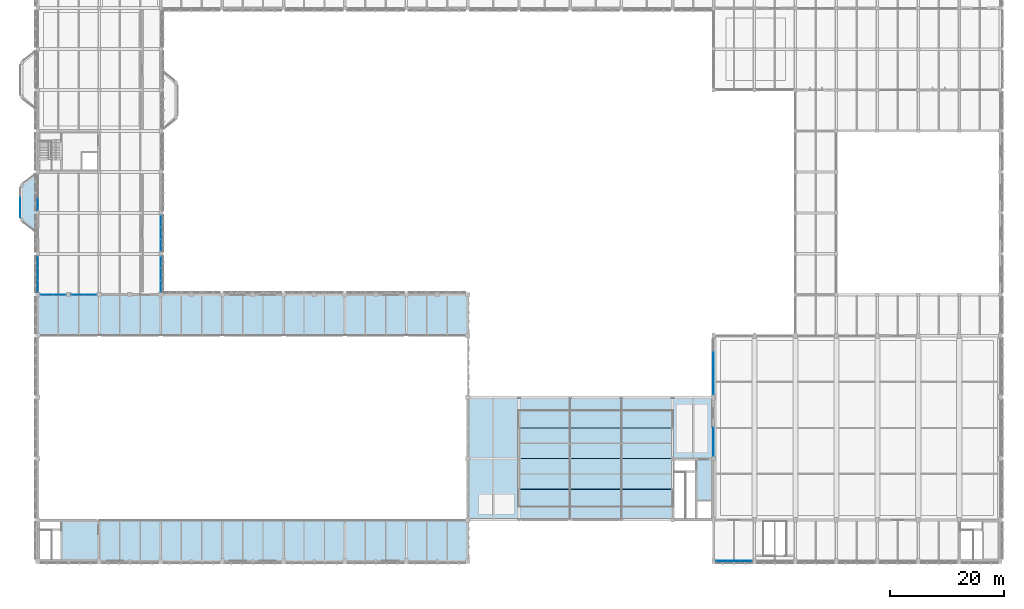
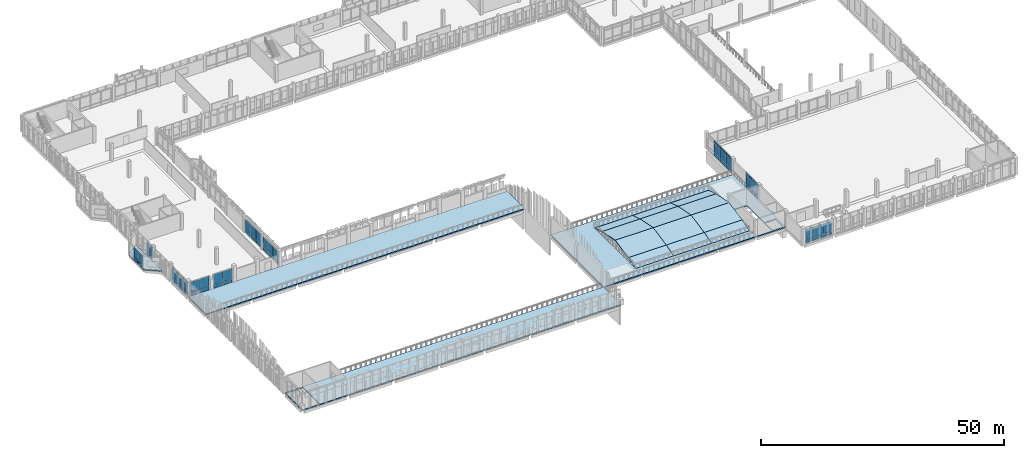
# One storey, part 121 of 158: 53 plates, 16 slabs, 10 elements without a shape of their own.
"""IFC4 building model written with IfcOpenShell, lengths in metres."""

from ifc_helpers import new_model, si_unit, direction, frame, origin, origin_2d, place, context, subcontext, project, spatial, polyline, rectangle, outline, extrude, material, layer, layer_set, type_object, element, aggregate, save


model = new_model("IFC4")

# Units and contexts
model_context = context("Model", 3, precision=1e-05, world=origin(), true_north=direction((0.0, 1.0)))
body_context = subcontext(model_context, "Body", "Model", "MODEL_VIEW")
ifc_project = project(units=[si_unit("LENGTHUNIT", "METRE"), si_unit("AREAUNIT", "SQUARE_METRE"), si_unit("VOLUMEUNIT", "CUBIC_METRE"), si_unit("PLANEANGLEUNIT", "RADIAN"), si_unit("MASSUNIT", "GRAM", prefix="KILO")], contexts=[model_context])

# Site, building, storey
site_placement = place(None, origin())
site = spatial("IfcSite", under=ifc_project, at=site_placement, CompositionType="ELEMENT")
building_placement = place(site_placement, origin())
building = spatial("IfcBuilding", under=site, at=building_placement, Name="Lusvemor Sports Hall", CompositionType="ELEMENT")
storey_placement = place(building_placement, frame((0.0, 0.0, 10.800048828125)))
storey = spatial("IfcBuildingStorey", under=building, at=storey_placement, Name="L02", CompositionType="ELEMENT", Elevation=10.800048828125)

# Curtain wall, plates
ifc_material_1 = material(Name="Thermally broken bronze-anodized aluminium", Category="aluminium")
curtain_wall_type_1 = type_object("IfcCurtainWallType", Name="CW_COURT_C", PredefinedType="NOTDEFINED", material=ifc_material_1)
curtain_wall_1_placement = place(storey_placement, origin())
curtain_wall_1 = element("IfcCurtainWall", 1, at=curtain_wall_1_placement, inside=storey, type_object=curtain_wall_type_1, Name="Curtain Wall CW-V2S-L02-0", PredefinedType="NOTDEFINED")
ifc_material_2 = material(Name="Solar-control laminated double glazing", Category="glass")
ifc_layer_1 = layer(ifc_material_2, 0.028076171875)
ifc_layer_set_1 = layer_set([ifc_layer_1], Name="Solar-control laminated double glazing")
plate_type_1 = type_object("IfcPlateType", Name="CW_PAN_GLZ_28", PredefinedType="CURTAIN_PANEL", material=ifc_layer_set_1)
plate_1_placement = place(storey_placement, frame((124.490478515625, 0.0, 0.8798828125), z_axis=(0.0, 0.0, 1.0), x_axis=(-1.0, 0.0, 0.0)))
plate_1 = element("IfcPlate", 2, at=plate_1_placement, type_object=plate_type_1, Name="CW03 panel 1.2", PredefinedType="CURTAIN_PANEL", context=body_context, shape_type="SweptSolid", body=[
    extrude(rectangle(XDim=2.00927734375, YDim=0.028076171875, at=origin_2d()), origin(), (0.0, 0.0, 1.0), 2.56005859375),
])
plate_2_placement = place(storey_placement, frame((122.39990234375, 0.0, 0.8798828125), z_axis=(0.0, 0.0, 1.0), x_axis=(-1.0, 0.0, 0.0)))
plate_2 = element("IfcPlate", 3, at=plate_2_placement, type_object=plate_type_1, Name="CW03 panel 2.2", PredefinedType="CURTAIN_PANEL", context=body_context, shape_type="SweptSolid", body=[
    extrude(rectangle(XDim=2.041748046875, YDim=0.028076171875, at=origin_2d()), origin(), (0.0, 0.0, 1.0), 2.56005859375),
])
plate_3_placement = place(storey_placement, frame((120.3095703125, 0.0, 0.8798828125), z_axis=(0.0, 0.0, 1.0), x_axis=(-1.0, 0.0, 0.0)))
plate_3 = element("IfcPlate", 4, at=plate_3_placement, type_object=plate_type_1, Name="CW03 panel 3.2", PredefinedType="CURTAIN_PANEL", context=body_context, shape_type="SweptSolid", body=[
    extrude(rectangle(XDim=2.00927734375, YDim=0.028076171875, at=origin_2d()), origin(), (0.0, 0.0, 1.0), 2.56005859375),
])

curtain_wall_2_placement = place(storey_placement, origin())
curtain_wall_2 = element("IfcCurtainWall", 5, at=curtain_wall_2_placement, inside=storey, type_object=curtain_wall_type_1, Name="Curtain Wall CW-V2W-L02-2A", PredefinedType="NOTDEFINED")
plate_4_placement = place(storey_placement, frame((118.800048828125, 19.75634765625, 0.830078125), z_axis=(0.0, 0.0, 1.0), x_axis=(0.0, 1.0, 0.0)))
plate_4 = element("IfcPlate", 6, at=plate_4_placement, type_object=plate_type_1, Name="CW03 panel 1.2", PredefinedType="CURTAIN_PANEL", context=body_context, shape_type="SweptSolid", body=[
    extrude(rectangle(XDim=2.422607421875, YDim=0.028076171875, at=origin_2d()), origin(), (0.0, 0.0, 1.0), 2.239990234375),
])
plate_5_placement = place(storey_placement, frame((118.800048828125, 19.75634765625, 3.1298828125), z_axis=(0.0, 0.0, 1.0), x_axis=(0.0, 1.0, 0.0)))
plate_5 = element("IfcPlate", 7, at=plate_5_placement, type_object=plate_type_1, Name="CW03 panel 1.3", PredefinedType="CURTAIN_PANEL", context=body_context, shape_type="SweptSolid", body=[
    extrude(rectangle(XDim=2.422607421875, YDim=0.028076171875, at=origin_2d()), origin(), (0.0, 0.0, 1.0), 0.659912109375),
])
plate_6_placement = place(storey_placement, frame((118.800048828125, 22.24365234375, 0.830078125), z_axis=(0.0, 0.0, 1.0), x_axis=(0.0, 1.0, 0.0)))
plate_6 = element("IfcPlate", 8, at=plate_6_placement, type_object=plate_type_1, Name="CW03 panel 2.2", PredefinedType="CURTAIN_PANEL", context=body_context, shape_type="SweptSolid", body=[
    extrude(rectangle(XDim=2.422607421875, YDim=0.028076171875, at=origin_2d()), origin(), (0.0, 0.0, 1.0), 2.239990234375),
])
plate_7_placement = place(storey_placement, frame((118.800048828125, 22.24365234375, 3.1298828125), z_axis=(0.0, 0.0, 1.0), x_axis=(0.0, 1.0, 0.0)))
plate_7 = element("IfcPlate", 9, at=plate_7_placement, type_object=plate_type_1, Name="CW03 panel 2.3", PredefinedType="CURTAIN_PANEL", context=body_context, shape_type="SweptSolid", body=[
    extrude(rectangle(XDim=2.422607421875, YDim=0.028076171875, at=origin_2d()), origin(), (0.0, 0.0, 1.0), 0.659912109375),
])

ifc_material_3 = material(Name="Thermally broken bronze-anodized aluminium", Category="aluminium")
curtain_wall_type_2 = type_object("IfcCurtainWallType", Name="CW_WING_B", PredefinedType="NOTDEFINED", material=ifc_material_3)
curtain_wall_3_placement = place(storey_placement, origin())
curtain_wall_3 = element("IfcCurtainWall", 10, at=curtain_wall_3_placement, inside=storey, type_object=curtain_wall_type_2, Name="Curtain Wall CW-L02-W-0-0", PredefinedType="NOTDEFINED")
plate_8_placement = place(storey_placement, frame((0.0, 48.296142578125, 0.8798828125), z_axis=(0.0, 0.0, 1.0), x_axis=(0.0, 1.0, 0.0)))
plate_8 = element("IfcPlate", 11, at=plate_8_placement, type_object=plate_type_1, Name="CW02 panel 1.2", PredefinedType="CURTAIN_PANEL", context=body_context, shape_type="SweptSolid", body=[
    extrude(rectangle(XDim=2.0224609375, YDim=0.028076171875, at=origin_2d()), origin(), (0.0, 0.0, 1.0), 2.580078125),
])
plate_9_placement = place(storey_placement, frame((0.0, 50.39990234375, 0.8798828125), z_axis=(0.0, 0.0, 1.0), x_axis=(0.0, 1.0, 0.0)))
plate_9 = element("IfcPlate", 12, at=plate_9_placement, type_object=plate_type_1, Name="CW02 panel 2.2", PredefinedType="CURTAIN_PANEL", context=body_context, shape_type="SweptSolid", body=[
    extrude(rectangle(XDim=2.054931640625, YDim=0.028076171875, at=origin_2d()), origin(), (0.0, 0.0, 1.0), 2.580078125),
])
plate_10_placement = place(storey_placement, frame((0.0, 52.503662109375, 0.8798828125), z_axis=(0.0, 0.0, 1.0), x_axis=(0.0, 1.0, 0.0)))
plate_10 = element("IfcPlate", 13, at=plate_10_placement, type_object=plate_type_1, Name="CW02 panel 3.2", PredefinedType="CURTAIN_PANEL", context=body_context, shape_type="SweptSolid", body=[
    extrude(rectangle(XDim=2.0224609375, YDim=0.028076171875, at=origin_2d()), origin(), (0.0, 0.0, 1.0), 2.580078125),
])

# Curtain wall, plate
curtain_wall_4_placement = place(storey_placement, origin())
curtain_wall_4 = element("IfcCurtainWall", 14, at=curtain_wall_4_placement, inside=storey, type_object=curtain_wall_type_2, Name="Curtain Wall CW-L02-W-0-2", PredefinedType="NOTDEFINED")
plate_11_placement = place(storey_placement, frame((0.0, 62.6962890625, 0.8798828125), z_axis=(0.0, 0.0, 1.0), x_axis=(0.0, 1.0, 0.0)))
plate_11 = element("IfcPlate", 15, at=plate_11_placement, type_object=plate_type_1, Name="CW02 panel 1.2", PredefinedType="CURTAIN_PANEL", context=body_context, shape_type="SweptSolid", body=[
    extrude(rectangle(XDim=2.0224609375, YDim=0.028076171875, at=origin_2d()), origin(), (0.0, 0.0, 1.0), 2.580078125),
])

# Curtain wall, plates
curtain_wall_5_placement = place(storey_placement, origin())
curtain_wall_5 = element("IfcCurtainWall", 16, at=curtain_wall_5_placement, inside=storey, type_object=curtain_wall_type_2, Name="Curtain Wall CW-L02-E-5-0", PredefinedType="NOTDEFINED")
plate_12_placement = place(storey_placement, frame((21.60009765625, 52.503662109375, 0.8798828125), z_axis=(0.0, 0.0, 1.0), x_axis=(0.0, -1.0, 0.0)))
plate_12 = element("IfcPlate", 17, at=plate_12_placement, type_object=plate_type_1, Name="CW02 panel 1.2", PredefinedType="CURTAIN_PANEL", context=body_context, shape_type="SweptSolid", body=[
    extrude(rectangle(XDim=2.0224609375, YDim=0.028076171875, at=origin_2d()), origin(), (0.0, 0.0, 1.0), 2.580078125),
])
plate_13_placement = place(storey_placement, frame((21.60009765625, 50.39990234375, 0.8798828125), z_axis=(0.0, 0.0, 1.0), x_axis=(0.0, -1.0, 0.0)))
plate_13 = element("IfcPlate", 18, at=plate_13_placement, type_object=plate_type_1, Name="CW02 panel 2.2", PredefinedType="CURTAIN_PANEL", context=body_context, shape_type="SweptSolid", body=[
    extrude(rectangle(XDim=2.054931640625, YDim=0.028076171875, at=origin_2d()), origin(), (0.0, 0.0, 1.0), 2.580078125),
])
plate_14_placement = place(storey_placement, frame((21.60009765625, 48.296142578125, 0.8798828125), z_axis=(0.0, 0.0, 1.0), x_axis=(0.0, -1.0, 0.0)))
plate_14 = element("IfcPlate", 19, at=plate_14_placement, type_object=plate_type_1, Name="CW02 panel 3.2", PredefinedType="CURTAIN_PANEL", context=body_context, shape_type="SweptSolid", body=[
    extrude(rectangle(XDim=2.0224609375, YDim=0.028076171875, at=origin_2d()), origin(), (0.0, 0.0, 1.0), 2.580078125),
])

curtain_wall_6_placement = place(storey_placement, origin())
curtain_wall_6 = element("IfcCurtainWall", 20, at=curtain_wall_6_placement, inside=storey, type_object=curtain_wall_type_2, Name="Curtain Wall CW-L02-E-5-1", PredefinedType="NOTDEFINED")
plate_15_placement = place(storey_placement, frame((21.60009765625, 59.703857421875, 0.8798828125), z_axis=(0.0, 0.0, 1.0), x_axis=(0.0, -1.0, 0.0)))
plate_15 = element("IfcPlate", 21, at=plate_15_placement, type_object=plate_type_1, Name="CW02 panel 1.2", PredefinedType="CURTAIN_PANEL", context=body_context, shape_type="SweptSolid", body=[
    extrude(rectangle(XDim=2.0224609375, YDim=0.028076171875, at=origin_2d()), origin(), (0.0, 0.0, 1.0), 2.580078125),
])
plate_16_placement = place(storey_placement, frame((21.60009765625, 57.60009765625, 0.8798828125), z_axis=(0.0, 0.0, 1.0), x_axis=(0.0, -1.0, 0.0)))
plate_16 = element("IfcPlate", 22, at=plate_16_placement, type_object=plate_type_1, Name="CW02 panel 2.2", PredefinedType="CURTAIN_PANEL", context=body_context, shape_type="SweptSolid", body=[
    extrude(rectangle(XDim=2.054931640625, YDim=0.028076171875, at=origin_2d()), origin(), (0.0, 0.0, 1.0), 2.580078125),
])
plate_17_placement = place(storey_placement, frame((21.60009765625, 55.496337890625, 0.8798828125), z_axis=(0.0, 0.0, 1.0), x_axis=(0.0, -1.0, 0.0)))
plate_17 = element("IfcPlate", 23, at=plate_17_placement, type_object=plate_type_1, Name="CW02 panel 3.2", PredefinedType="CURTAIN_PANEL", context=body_context, shape_type="SweptSolid", body=[
    extrude(rectangle(XDim=2.0224609375, YDim=0.028076171875, at=origin_2d()), origin(), (0.0, 0.0, 1.0), 2.580078125),
])

curtain_wall_7_placement = place(storey_placement, origin())
curtain_wall_7 = element("IfcCurtainWall", 24, at=curtain_wall_7_placement, inside=storey, type_object=curtain_wall_type_2, Name="Curtain Wall CW-L02-S-6-0-A", PredefinedType="NOTDEFINED")
plate_18_placement = place(storey_placement, frame((9.226318359375, 46.800048828125, 0.8798828125), z_axis=(0.0, 0.0, 1.0), x_axis=(-1.0, 0.0, 0.0)))
plate_18 = element("IfcPlate", 25, at=plate_18_placement, type_object=plate_type_1, Name="CW02 panel 1.2", PredefinedType="CURTAIN_PANEL", context=body_context, shape_type="SweptSolid", body=[
    extrude(rectangle(XDim=2.177490234375, YDim=0.028076171875, at=origin_2d()), origin(), (0.0, 0.0, 1.0), 2.580078125),
])
plate_19_placement = place(storey_placement, frame((6.983642578125, 46.800048828125, 0.8798828125), z_axis=(0.0, 0.0, 1.0), x_axis=(-1.0, 0.0, 0.0)))
plate_19 = element("IfcPlate", 26, at=plate_19_placement, type_object=plate_type_1, Name="CW02 panel 2.2", PredefinedType="CURTAIN_PANEL", context=body_context, shape_type="SweptSolid", body=[
    extrude(rectangle(XDim=2.177490234375, YDim=0.028076171875, at=origin_2d()), origin(), (0.0, 0.0, 1.0), 2.580078125),
])

curtain_wall_8_placement = place(storey_placement, origin())
curtain_wall_8 = element("IfcCurtainWall", 27, at=curtain_wall_8_placement, inside=storey, type_object=curtain_wall_type_2, Name="Curtain Wall CW-L02-S-6-0-B", PredefinedType="NOTDEFINED")
plate_20_placement = place(storey_placement, frame((3.816162109375, 46.800048828125, 0.8798828125), z_axis=(0.0, 0.0, 1.0), x_axis=(-1.0, 0.0, 0.0)))
plate_20 = element("IfcPlate", 28, at=plate_20_placement, type_object=plate_type_1, Name="CW02 panel 1.2", PredefinedType="CURTAIN_PANEL", context=body_context, shape_type="SweptSolid", body=[
    extrude(rectangle(XDim=2.177490234375, YDim=0.028076171875, at=origin_2d()), origin(), (0.0, 0.0, 1.0), 2.580078125),
])
plate_21_placement = place(storey_placement, frame((1.57373046875, 46.800048828125, 0.8798828125), z_axis=(0.0, 0.0, 1.0), x_axis=(-1.0, 0.0, 0.0)))
plate_21 = element("IfcPlate", 29, at=plate_21_placement, type_object=plate_type_1, Name="CW02 panel 2.2", PredefinedType="CURTAIN_PANEL", context=body_context, shape_type="SweptSolid", body=[
    extrude(rectangle(XDim=2.177490234375, YDim=0.028076171875, at=origin_2d()), origin(), (0.0, 0.0, 1.0), 2.580078125),
])

curtain_wall_9_placement = place(storey_placement, origin())
curtain_wall_9 = element("IfcCurtainWall", 30, at=curtain_wall_9_placement, inside=storey, type_object=curtain_wall_type_1, Name="Curtain Wall CW-V2W-L02-3", PredefinedType="NOTDEFINED")
plate_22_placement = place(storey_placement, frame((118.800048828125, 30.5263671875, 0.830078125), z_axis=(0.0, 0.0, 1.0), x_axis=(0.0, 1.0, 0.0)))
plate_22 = element("IfcPlate", 31, at=plate_22_placement, type_object=plate_type_1, Name="CW03 panel 1.2", PredefinedType="CURTAIN_PANEL", context=body_context, shape_type="SweptSolid", body=[
    extrude(rectangle(XDim=2.362548828125, YDim=0.028076171875, at=origin_2d()), origin(), (0.0, 0.0, 1.0), 2.239990234375),
])
plate_23_placement = place(storey_placement, frame((118.800048828125, 30.5263671875, 3.1298828125), z_axis=(0.0, 0.0, 1.0), x_axis=(0.0, 1.0, 0.0)))
plate_23 = element("IfcPlate", 32, at=plate_23_placement, type_object=plate_type_1, Name="CW03 panel 1.3", PredefinedType="CURTAIN_PANEL", context=body_context, shape_type="SweptSolid", body=[
    extrude(rectangle(XDim=2.362548828125, YDim=0.028076171875, at=origin_2d()), origin(), (0.0, 0.0, 1.0), 0.659912109375),
])
plate_24_placement = place(storey_placement, frame((118.800048828125, 32.969970703125, 0.830078125), z_axis=(0.0, 0.0, 1.0), x_axis=(0.0, 1.0, 0.0)))
plate_24 = element("IfcPlate", 33, at=plate_24_placement, type_object=plate_type_1, Name="CW03 panel 2.2", PredefinedType="CURTAIN_PANEL", context=body_context, shape_type="SweptSolid", body=[
    extrude(rectangle(XDim=2.39501953125, YDim=0.028076171875, at=origin_2d()), origin(), (0.0, 0.0, 1.0), 2.239990234375),
])
plate_25_placement = place(storey_placement, frame((118.800048828125, 32.969970703125, 3.1298828125), z_axis=(0.0, 0.0, 1.0), x_axis=(0.0, 1.0, 0.0)))
plate_25 = element("IfcPlate", 34, at=plate_25_placement, type_object=plate_type_1, Name="CW03 panel 2.3", PredefinedType="CURTAIN_PANEL", context=body_context, shape_type="SweptSolid", body=[
    extrude(rectangle(XDim=2.39501953125, YDim=0.028076171875, at=origin_2d()), origin(), (0.0, 0.0, 1.0), 0.659912109375),
])
plate_26_placement = place(storey_placement, frame((118.800048828125, 35.429931640625, 0.830078125), z_axis=(0.0, 0.0, 1.0), x_axis=(0.0, 1.0, 0.0)))
plate_26 = element("IfcPlate", 35, at=plate_26_placement, type_object=plate_type_1, Name="CW03 panel 3.2", PredefinedType="CURTAIN_PANEL", context=body_context, shape_type="SweptSolid", body=[
    extrude(rectangle(XDim=2.39501953125, YDim=0.028076171875, at=origin_2d()), origin(), (0.0, 0.0, 1.0), 2.239990234375),
])
plate_27_placement = place(storey_placement, frame((118.800048828125, 35.429931640625, 3.1298828125), z_axis=(0.0, 0.0, 1.0), x_axis=(0.0, 1.0, 0.0)))
plate_27 = element("IfcPlate", 36, at=plate_27_placement, type_object=plate_type_1, Name="CW03 panel 3.3", PredefinedType="CURTAIN_PANEL", context=body_context, shape_type="SweptSolid", body=[
    extrude(rectangle(XDim=2.39501953125, YDim=0.028076171875, at=origin_2d()), origin(), (0.0, 0.0, 1.0), 0.659912109375),
])

ifc_material_4 = material(Name="Thermally broken bronze-anodized aluminium", Category="aluminium")
curtain_wall_type_3 = type_object("IfcCurtainWallType", Name="CW_FOYER_A", PredefinedType="NOTDEFINED", material=ifc_material_4)
curtain_wall_10_placement = place(storey_placement, origin())
curtain_wall_10 = element("IfcCurtainWall", 37, at=curtain_wall_10_placement, inside=storey, type_object=curtain_wall_type_3, Name="Curtain Wall CW-BOW-W1-L02-M", PredefinedType="NOTDEFINED")
plate_28_placement = place(storey_placement, frame((-3.10009765625, 61.250732421875, 0.88232421875), z_axis=(0.0, 0.0, 1.0), x_axis=(0.0, 1.0, 0.0)))
plate_28 = element("IfcPlate", 38, at=plate_28_placement, type_object=plate_type_1, Name="CW01 panel 1.2", PredefinedType="CURTAIN_PANEL", context=body_context, shape_type="SweptSolid", body=[
    extrude(rectangle(XDim=1.66162109375, YDim=0.028076171875, at=origin_2d()), origin(), (0.0, 0.0, 1.0), 2.33251953125),
])
plate_29_placement = place(storey_placement, frame((-3.10009765625, 63.0, 0.88232421875), z_axis=(0.0, 0.0, 1.0), x_axis=(0.0, 1.0, 0.0)))
plate_29 = element("IfcPlate", 39, at=plate_29_placement, type_object=plate_type_1, Name="CW01 panel 2.2", PredefinedType="CURTAIN_PANEL", context=body_context, shape_type="SweptSolid", body=[
    extrude(rectangle(XDim=1.69677734375, YDim=0.028076171875, at=origin_2d()), origin(), (0.0, 0.0, 1.0), 2.33251953125),
])

# Plate
ifc_material_5 = material(Name="Emerald polychrome glazed ceramic cladding on Concrete C40/50 backing", Category="concrete")
ifc_layer_2 = layer(ifc_material_5, 0.048095703125)
ifc_layer_set_2 = layer_set([ifc_layer_2], Name="Emerald polychrome glazed ceramic cladding on Concrete C40/50 backing")
plate_type_2 = type_object("IfcPlateType", Name="CW_PAN_SPN_48", PredefinedType="CURTAIN_PANEL", material=ifc_layer_set_2)
plate_30_placement = place(storey_placement, frame((124.490478515625, 0.0, 0.06005859375), z_axis=(0.0, 0.0, 1.0), x_axis=(-1.0, 0.0, 0.0)))
plate_30 = element("IfcPlate", 40, at=plate_30_placement, type_object=plate_type_2, Name="CW03 panel 1.1", PredefinedType="CURTAIN_PANEL", context=body_context, shape_type="SweptSolid", body=[
    extrude(rectangle(XDim=2.00927734375, YDim=0.048095703125, at=origin_2d()), origin(), (0.0, 0.0, 1.0), 0.760009765625),
])

plate_31_placement = place(storey_placement, frame((122.39990234375, 0.0, 0.06005859375), z_axis=(0.0, 0.0, 1.0), x_axis=(-1.0, 0.0, 0.0)))
plate_31 = element("IfcPlate", 41, at=plate_31_placement, type_object=plate_type_2, Name="CW03 panel 2.1", PredefinedType="CURTAIN_PANEL", context=body_context, shape_type="SweptSolid", body=[
    extrude(rectangle(XDim=2.041748046875, YDim=0.048095703125, at=origin_2d()), origin(), (0.0, 0.0, 1.0), 0.760009765625),
])

plate_32_placement = place(storey_placement, frame((120.3095703125, 0.0, 0.06005859375), z_axis=(0.0, 0.0, 1.0), x_axis=(-1.0, 0.0, 0.0)))
plate_32 = element("IfcPlate", 42, at=plate_32_placement, type_object=plate_type_2, Name="CW03 panel 3.1", PredefinedType="CURTAIN_PANEL", context=body_context, shape_type="SweptSolid", body=[
    extrude(rectangle(XDim=2.00927734375, YDim=0.048095703125, at=origin_2d()), origin(), (0.0, 0.0, 1.0), 0.760009765625),
])

aggregate(curtain_wall_1, [plate_30, plate_1, plate_31, plate_2, plate_32, plate_3])

plate_33_placement = place(storey_placement, frame((118.800048828125, 19.75634765625, 0.009765625), z_axis=(0.0, 0.0, 1.0), x_axis=(0.0, 1.0, 0.0)))
plate_33 = element("IfcPlate", 43, at=plate_33_placement, type_object=plate_type_2, Name="CW03 panel 1.1", PredefinedType="CURTAIN_PANEL", context=body_context, shape_type="SweptSolid", body=[
    extrude(rectangle(XDim=2.422607421875, YDim=0.048095703125, at=origin_2d()), origin(), (0.0, 0.0, 1.0), 0.760009765625),
])

plate_34_placement = place(storey_placement, frame((118.800048828125, 22.24365234375, 0.009765625), z_axis=(0.0, 0.0, 1.0), x_axis=(0.0, 1.0, 0.0)))
plate_34 = element("IfcPlate", 44, at=plate_34_placement, type_object=plate_type_2, Name="CW03 panel 2.1", PredefinedType="CURTAIN_PANEL", context=body_context, shape_type="SweptSolid", body=[
    extrude(rectangle(XDim=2.422607421875, YDim=0.048095703125, at=origin_2d()), origin(), (0.0, 0.0, 1.0), 0.760009765625),
])

aggregate(curtain_wall_2, [plate_33, plate_4, plate_5, plate_34, plate_6, plate_7])

plate_35_placement = place(storey_placement, frame((0.0, 48.296142578125, 0.06005859375), z_axis=(0.0, 0.0, 1.0), x_axis=(0.0, 1.0, 0.0)))
plate_35 = element("IfcPlate", 45, at=plate_35_placement, type_object=plate_type_2, Name="CW02 panel 1.1", PredefinedType="CURTAIN_PANEL", context=body_context, shape_type="SweptSolid", body=[
    extrude(rectangle(XDim=2.0224609375, YDim=0.048095703125, at=origin_2d()), origin(), (0.0, 0.0, 1.0), 0.760009765625),
])

plate_36_placement = place(storey_placement, frame((0.0, 50.39990234375, 0.06005859375), z_axis=(0.0, 0.0, 1.0), x_axis=(0.0, 1.0, 0.0)))
plate_36 = element("IfcPlate", 46, at=plate_36_placement, type_object=plate_type_2, Name="CW02 panel 2.1", PredefinedType="CURTAIN_PANEL", context=body_context, shape_type="SweptSolid", body=[
    extrude(rectangle(XDim=2.054931640625, YDim=0.048095703125, at=origin_2d()), origin(), (0.0, 0.0, 1.0), 0.760009765625),
])

plate_37_placement = place(storey_placement, frame((0.0, 52.503662109375, 0.06005859375), z_axis=(0.0, 0.0, 1.0), x_axis=(0.0, 1.0, 0.0)))
plate_37 = element("IfcPlate", 47, at=plate_37_placement, type_object=plate_type_2, Name="CW02 panel 3.1", PredefinedType="CURTAIN_PANEL", context=body_context, shape_type="SweptSolid", body=[
    extrude(rectangle(XDim=2.0224609375, YDim=0.048095703125, at=origin_2d()), origin(), (0.0, 0.0, 1.0), 0.760009765625),
])

aggregate(curtain_wall_3, [plate_35, plate_8, plate_36, plate_9, plate_37, plate_10])

plate_38_placement = place(storey_placement, frame((0.0, 62.6962890625, 0.06005859375), z_axis=(0.0, 0.0, 1.0), x_axis=(0.0, 1.0, 0.0)))
plate_38 = element("IfcPlate", 48, at=plate_38_placement, type_object=plate_type_2, Name="CW02 panel 1.1", PredefinedType="CURTAIN_PANEL", context=body_context, shape_type="SweptSolid", body=[
    extrude(rectangle(XDim=2.0224609375, YDim=0.048095703125, at=origin_2d()), origin(), (0.0, 0.0, 1.0), 0.760009765625),
])

aggregate(curtain_wall_4, [plate_38, plate_11])

plate_39_placement = place(storey_placement, frame((21.60009765625, 52.503662109375, 0.06005859375), z_axis=(0.0, 0.0, 1.0), x_axis=(0.0, -1.0, 0.0)))
plate_39 = element("IfcPlate", 49, at=plate_39_placement, type_object=plate_type_2, Name="CW02 panel 1.1", PredefinedType="CURTAIN_PANEL", context=body_context, shape_type="SweptSolid", body=[
    extrude(rectangle(XDim=2.0224609375, YDim=0.048095703125, at=origin_2d()), origin(), (0.0, 0.0, 1.0), 0.760009765625),
])

plate_40_placement = place(storey_placement, frame((21.60009765625, 50.39990234375, 0.06005859375), z_axis=(0.0, 0.0, 1.0), x_axis=(0.0, -1.0, 0.0)))
plate_40 = element("IfcPlate", 50, at=plate_40_placement, type_object=plate_type_2, Name="CW02 panel 2.1", PredefinedType="CURTAIN_PANEL", context=body_context, shape_type="SweptSolid", body=[
    extrude(rectangle(XDim=2.054931640625, YDim=0.048095703125, at=origin_2d()), origin(), (0.0, 0.0, 1.0), 0.760009765625),
])

plate_41_placement = place(storey_placement, frame((21.60009765625, 48.296142578125, 0.06005859375), z_axis=(0.0, 0.0, 1.0), x_axis=(0.0, -1.0, 0.0)))
plate_41 = element("IfcPlate", 51, at=plate_41_placement, type_object=plate_type_2, Name="CW02 panel 3.1", PredefinedType="CURTAIN_PANEL", context=body_context, shape_type="SweptSolid", body=[
    extrude(rectangle(XDim=2.0224609375, YDim=0.048095703125, at=origin_2d()), origin(), (0.0, 0.0, 1.0), 0.760009765625),
])

aggregate(curtain_wall_5, [plate_39, plate_12, plate_40, plate_13, plate_41, plate_14])

plate_42_placement = place(storey_placement, frame((21.60009765625, 59.703857421875, 0.06005859375), z_axis=(0.0, 0.0, 1.0), x_axis=(0.0, -1.0, 0.0)))
plate_42 = element("IfcPlate", 52, at=plate_42_placement, type_object=plate_type_2, Name="CW02 panel 1.1", PredefinedType="CURTAIN_PANEL", context=body_context, shape_type="SweptSolid", body=[
    extrude(rectangle(XDim=2.0224609375, YDim=0.048095703125, at=origin_2d()), origin(), (0.0, 0.0, 1.0), 0.760009765625),
])

plate_43_placement = place(storey_placement, frame((21.60009765625, 57.60009765625, 0.06005859375), z_axis=(0.0, 0.0, 1.0), x_axis=(0.0, -1.0, 0.0)))
plate_43 = element("IfcPlate", 53, at=plate_43_placement, type_object=plate_type_2, Name="CW02 panel 2.1", PredefinedType="CURTAIN_PANEL", context=body_context, shape_type="SweptSolid", body=[
    extrude(rectangle(XDim=2.054931640625, YDim=0.048095703125, at=origin_2d()), origin(), (0.0, 0.0, 1.0), 0.760009765625),
])

plate_44_placement = place(storey_placement, frame((21.60009765625, 55.496337890625, 0.06005859375), z_axis=(0.0, 0.0, 1.0), x_axis=(0.0, -1.0, 0.0)))
plate_44 = element("IfcPlate", 54, at=plate_44_placement, type_object=plate_type_2, Name="CW02 panel 3.1", PredefinedType="CURTAIN_PANEL", context=body_context, shape_type="SweptSolid", body=[
    extrude(rectangle(XDim=2.0224609375, YDim=0.048095703125, at=origin_2d()), origin(), (0.0, 0.0, 1.0), 0.760009765625),
])

aggregate(curtain_wall_6, [plate_42, plate_15, plate_43, plate_16, plate_44, plate_17])

plate_45_placement = place(storey_placement, frame((9.226318359375, 46.800048828125, 0.06005859375), z_axis=(0.0, 0.0, 1.0), x_axis=(-1.0, 0.0, 0.0)))
plate_45 = element("IfcPlate", 55, at=plate_45_placement, type_object=plate_type_2, Name="CW02 panel 1.1", PredefinedType="CURTAIN_PANEL", context=body_context, shape_type="SweptSolid", body=[
    extrude(rectangle(XDim=2.177490234375, YDim=0.048095703125, at=origin_2d()), origin(), (0.0, 0.0, 1.0), 0.760009765625),
])

plate_46_placement = place(storey_placement, frame((6.983642578125, 46.800048828125, 0.06005859375), z_axis=(0.0, 0.0, 1.0), x_axis=(-1.0, 0.0, 0.0)))
plate_46 = element("IfcPlate", 56, at=plate_46_placement, type_object=plate_type_2, Name="CW02 panel 2.1", PredefinedType="CURTAIN_PANEL", context=body_context, shape_type="SweptSolid", body=[
    extrude(rectangle(XDim=2.177490234375, YDim=0.048095703125, at=origin_2d()), origin(), (0.0, 0.0, 1.0), 0.760009765625),
])

aggregate(curtain_wall_7, [plate_45, plate_18, plate_46, plate_19])

plate_47_placement = place(storey_placement, frame((3.816162109375, 46.800048828125, 0.06005859375), z_axis=(0.0, 0.0, 1.0), x_axis=(-1.0, 0.0, 0.0)))
plate_47 = element("IfcPlate", 57, at=plate_47_placement, type_object=plate_type_2, Name="CW02 panel 1.1", PredefinedType="CURTAIN_PANEL", context=body_context, shape_type="SweptSolid", body=[
    extrude(rectangle(XDim=2.177490234375, YDim=0.048095703125, at=origin_2d()), origin(), (0.0, 0.0, 1.0), 0.760009765625),
])

plate_48_placement = place(storey_placement, frame((1.57373046875, 46.800048828125, 0.06005859375), z_axis=(0.0, 0.0, 1.0), x_axis=(-1.0, 0.0, 0.0)))
plate_48 = element("IfcPlate", 58, at=plate_48_placement, type_object=plate_type_2, Name="CW02 panel 2.1", PredefinedType="CURTAIN_PANEL", context=body_context, shape_type="SweptSolid", body=[
    extrude(rectangle(XDim=2.177490234375, YDim=0.048095703125, at=origin_2d()), origin(), (0.0, 0.0, 1.0), 0.760009765625),
])

aggregate(curtain_wall_8, [plate_47, plate_20, plate_48, plate_21])

plate_49_placement = place(storey_placement, frame((118.800048828125, 30.5263671875, 0.009765625), z_axis=(0.0, 0.0, 1.0), x_axis=(0.0, 1.0, 0.0)))
plate_49 = element("IfcPlate", 59, at=plate_49_placement, type_object=plate_type_2, Name="CW03 panel 1.1", PredefinedType="CURTAIN_PANEL", context=body_context, shape_type="SweptSolid", body=[
    extrude(rectangle(XDim=2.362548828125, YDim=0.048095703125, at=origin_2d()), origin(), (0.0, 0.0, 1.0), 0.760009765625),
])

plate_50_placement = place(storey_placement, frame((118.800048828125, 32.969970703125, 0.009765625), z_axis=(0.0, 0.0, 1.0), x_axis=(0.0, 1.0, 0.0)))
plate_50 = element("IfcPlate", 60, at=plate_50_placement, type_object=plate_type_2, Name="CW03 panel 2.1", PredefinedType="CURTAIN_PANEL", context=body_context, shape_type="SweptSolid", body=[
    extrude(rectangle(XDim=2.39501953125, YDim=0.048095703125, at=origin_2d()), origin(), (0.0, 0.0, 1.0), 0.760009765625),
])

plate_51_placement = place(storey_placement, frame((118.800048828125, 35.429931640625, 0.009765625), z_axis=(0.0, 0.0, 1.0), x_axis=(0.0, 1.0, 0.0)))
plate_51 = element("IfcPlate", 61, at=plate_51_placement, type_object=plate_type_2, Name="CW03 panel 3.1", PredefinedType="CURTAIN_PANEL", context=body_context, shape_type="SweptSolid", body=[
    extrude(rectangle(XDim=2.39501953125, YDim=0.048095703125, at=origin_2d()), origin(), (0.0, 0.0, 1.0), 0.760009765625),
])

aggregate(curtain_wall_9, [plate_49, plate_22, plate_23, plate_50, plate_24, plate_25, plate_51, plate_26, plate_27])

plate_52_placement = place(storey_placement, frame((-3.10009765625, 61.250732421875, 0.06494140625), z_axis=(0.0, 0.0, 1.0), x_axis=(0.0, 1.0, 0.0)))
plate_52 = element("IfcPlate", 62, at=plate_52_placement, type_object=plate_type_2, Name="CW01 panel 1.1", PredefinedType="CURTAIN_PANEL", context=body_context, shape_type="SweptSolid", body=[
    extrude(rectangle(XDim=1.66162109375, YDim=0.048095703125, at=origin_2d()), origin(), (0.0, 0.0, 1.0), 0.75244140625),
])

plate_53_placement = place(storey_placement, frame((-3.10009765625, 63.0, 0.06494140625), z_axis=(0.0, 0.0, 1.0), x_axis=(0.0, 1.0, 0.0)))
plate_53 = element("IfcPlate", 63, at=plate_53_placement, type_object=plate_type_2, Name="CW01 panel 2.1", PredefinedType="CURTAIN_PANEL", context=body_context, shape_type="SweptSolid", body=[
    extrude(rectangle(XDim=1.69677734375, YDim=0.048095703125, at=origin_2d()), origin(), (0.0, 0.0, 1.0), 0.75244140625),
])

aggregate(curtain_wall_10, [plate_52, plate_28, plate_53, plate_29])

# Slabs
ifc_material_6 = material(Name="Concrete C40/50", Category="concrete")
ifc_layer_3 = layer(ifc_material_6, 0.169921875)
ifc_layer_set_3 = layer_set([ifc_layer_3], Name="Concrete C40/50")
slab_type_1 = type_object("IfcSlabType", Name="ROOF_LANTERN_170", PredefinedType="ROOF", material=ifc_layer_set_3)
for number, where, z_axis, x_axis, name in (
    (64, (84.60009765625, 12.60009765625, 0.919921875), (0.0, -0.19613318661, 0.980577265242), (1.0, 0.0, 0.0), "Foyer Lantern Roof 9-1"),
    (65, (84.60009765625, 18.0, 2.0), (0.0, 0.19613318661, 0.980577265242), (1.0, 0.0, 0.0), "Foyer Lantern Roof 9-2"),
    (66, (93.60009765625, 12.60009765625, 0.919921875), (0.0, -0.19613318661, 0.980577265242), (1.0, 0.0, 0.0), "Foyer Lantern Roof 10-1"),
    (67, (93.60009765625, 18.0, 2.0), (0.0, 0.19613318661, 0.980577265242), (1.0, 0.0, 0.0), "Foyer Lantern Roof 10-2"),
    (68, (102.60009765625, 12.60009765625, 0.919921875), (0.0, -0.19613318661, 0.980577265242), (1.0, 0.0, 0.0), "Foyer Lantern Roof 11-1"),
    (69, (102.60009765625, 18.0, 2.0), (0.0, 0.19613318661, 0.980577265242), (1.0, 0.0, 0.0), "Foyer Lantern Roof 11-2"),
):
    element("IfcSlab", number, at=place(storey_placement, frame(where, z_axis=z_axis, x_axis=x_axis)), inside=storey, type_object=slab_type_1, Name=name, PredefinedType="ROOF", context=body_context, shape_type="SweptSolid", body=[
        extrude(outline(polyline([(0.0, 0.0), (9.0, 0.0), (9.0, 5.506860637254248), (0.0, 5.506860637254248), (0.0, 0.0)])), origin(), (0.0, 0.0, -1.0), 0.169921875),
    ])
for number, where, z_axis, x_axis, name in (
    (70, (84.60009765625, 9.60498046875, 0.0), (0.0, -0.293603968722, 0.955927146571), (1.0, 0.0, 0.0), "Foyer Lantern Apron Roof 9-1"),
    (71, (84.60009765625, 23.39990234375, 0.919921875), (0.0, 0.293603968722, 0.955927146571), (1.0, 0.0, 0.0), "Foyer Lantern Apron Roof 9-2"),
    (72, (93.60009765625, 9.60498046875, 0.0), (0.0, -0.293603968722, 0.955927146571), (1.0, 0.0, 0.0), "Foyer Lantern Apron Roof 10-1"),
    (73, (93.60009765625, 23.39990234375, 0.919921875), (0.0, 0.293603968722, 0.955927146571), (1.0, 0.0, 0.0), "Foyer Lantern Apron Roof 10-2"),
    (74, (102.60009765625, 9.60498046875, 0.0), (0.0, -0.293603968722, 0.955927146571), (1.0, 0.0, 0.0), "Foyer Lantern Apron Roof 11-1"),
    (75, (102.60009765625, 23.39990234375, 0.919921875), (0.0, 0.293603968722, 0.955927146571), (1.0, 0.0, 0.0), "Foyer Lantern Apron Roof 11-2"),
):
    element("IfcSlab", number, at=place(storey_placement, frame(where, z_axis=z_axis, x_axis=x_axis)), inside=storey, type_object=slab_type_1, Name=name, PredefinedType="ROOF", context=body_context, shape_type="SweptSolid", body=[
        extrude(outline(polyline([(0.0, 0.0), (9.0, 0.0), (9.0, 3.1332065401057467), (0.0, 3.1332065401057467), (0.0, 0.0)])), origin(), (0.0, 0.0, -1.0), 0.169921875),
    ])
ifc_material_7 = material(Name="Concrete C40/50", Category="concrete")
ifc_layer_4 = layer(ifc_material_7, 0.27001953125)
ifc_layer_set_4 = layer_set([ifc_layer_4], Name="Concrete C40/50")
slab_type_2 = type_object("IfcSlabType", Name="SLAB_EXT_TERR_270", PredefinedType="FLOOR", material=ifc_layer_set_4)
slab_1_placement = place(storey_placement, frame((0.0, 0.0, -0.27001953125)))
element("IfcSlab", 76, at=slab_1_placement, inside=storey, type_object=slab_type_2, Name="Slab L02 V4-TERR", PredefinedType="FLOOR", context=body_context, shape_type="SweptSolid", body=[
    extrude(outline(polyline([(75.60009765625, 7.199951171875), (118.800048828125, 7.199951171875), (118.800048828125, 28.800048828125), (75.60009765625, 28.800048828125), (75.60009765625, 7.199951171875)]), holes=[polyline([(111.760009765625, 7.360107421875), (115.739990234375, 7.360107421875), (115.739990234375, 17.840087890625), (111.760009765625, 17.840087890625), (111.760009765625, 7.360107421875)]), polyline([(115.800048828125, 7.60009765625), (118.39990234375, 7.60009765625), (118.39990234375, 10.60009765625), (115.800048828125, 10.60009765625), (115.800048828125, 7.60009765625)]), polyline([(84.60009765625, 9.60009765625), (111.60009765625, 9.60009765625), (111.60009765625, 26.39990234375), (84.60009765625, 26.39990234375), (84.60009765625, 9.60009765625)])]), origin(), (0.0, 0.0, 1.0), 0.27001953125),
])
ifc_material_8 = material(Name="Concrete C40/50", Category="concrete")
ifc_layer_5 = layer(ifc_material_8, 0.260009765625)
ifc_layer_set_5 = layer_set([ifc_layer_5], Name="Concrete C40/50")
slab_type_3 = type_object("IfcSlabType", Name="SLAB_INT_260", PredefinedType="FLOOR", material=ifc_layer_set_5)
slab_2_placement = place(storey_placement, frame((0.0, 0.0, -0.260009765625)))
element("IfcSlab", 77, at=slab_2_placement, inside=storey, type_object=slab_type_3, Name="Slab L02 V1-SAISLE", PredefinedType="FLOOR", context=body_context, shape_type="SweptSolid", body=[
    extrude(outline(polyline([(0.0, 0.0), (75.60009765625, 0.0), (75.60009765625, 7.199951171875), (0.0, 7.199951171875), (0.0, 0.0)]), holes=[polyline([(0.159912109375, 0.159912109375), (4.139892578125, 0.159912109375), (4.139892578125, 7.0400390625), (0.159912109375, 7.0400390625), (0.159912109375, 0.159912109375)])]), origin(), (0.0, 0.0, 1.0), 0.260009765625),
])
slab_3_placement = place(storey_placement, frame((0.0, 0.0, -0.260009765625)))
element("IfcSlab", 78, at=slab_3_placement, inside=storey, type_object=slab_type_3, Name="Slab L02 V1-NAISLE", PredefinedType="FLOOR", context=body_context, shape_type="SweptSolid", body=[
    extrude(outline(polyline([(0.0, 39.60009765625), (75.60009765625, 39.60009765625), (75.60009765625, 46.800048828125), (0.0, 46.800048828125), (0.0, 39.60009765625)])), origin(), (0.0, 0.0, 1.0), 0.260009765625),
])
slab_4_placement = place(storey_placement, frame((0.0, 0.0, -0.260009765625)))
element("IfcSlab", 79, at=slab_4_placement, inside=storey, type_object=slab_type_3, Name="Bow Pavilion Slab BOW-W1 (L02)", PredefinedType="FLOOR", context=body_context, shape_type="SweptSolid", body=[
    extrude(outline(polyline([(0.0, 57.60009765625), (-3.10009765625, 60.0), (-3.10009765625, 66.0), (0.0, 68.39990234375), (0.0, 57.60009765625)])), origin(), (0.0, 0.0, 1.0), 0.260009765625),
])

save(model, "model.ifc")
